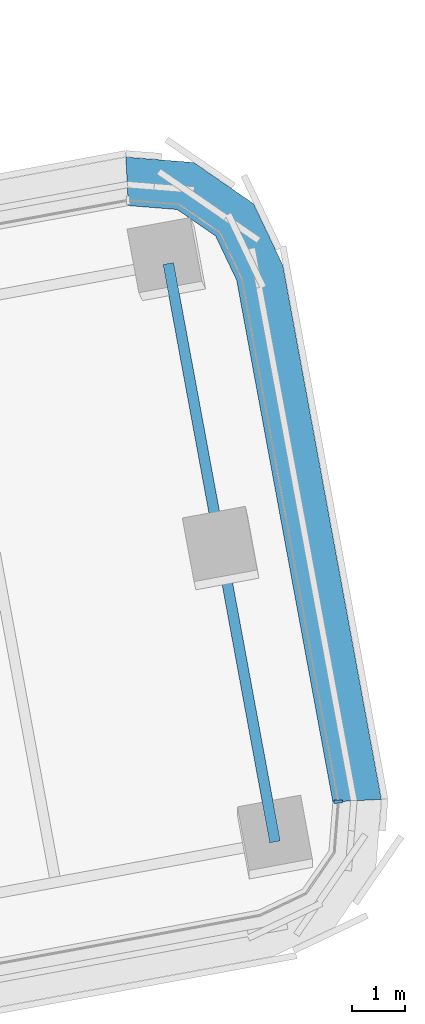
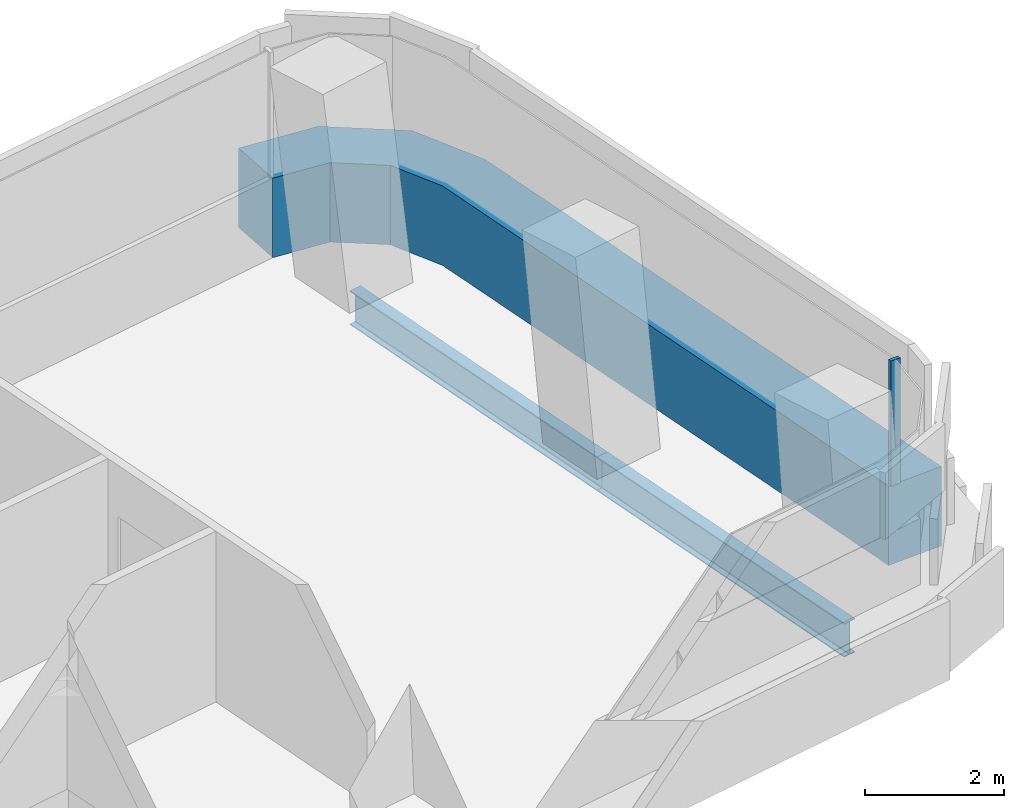
# One storey, part 14 of 33: 2 beams, 2 members, 1 element without a shape of its own.
"""IFC4 building model written with IfcOpenShell, lengths in metres."""

from ifc_helpers import new_model, si_unit, direction, frame, origin, origin_2d, place, context, subcontext, project, spatial, polyline, rectangle, i_section, outline, extrude, material, layer, layer_set, material_profile, profile_set, type_object, element, aggregate, save


model = new_model("IFC4")

# Units and contexts
model_context = context("Model", 3, precision=1e-05, world=origin(), true_north=direction((0.0, 1.0)))
body_context = subcontext(model_context, "Body", "Model", "MODEL_VIEW")
ifc_project = project(units=[si_unit("LENGTHUNIT", "METRE"), si_unit("AREAUNIT", "SQUARE_METRE"), si_unit("VOLUMEUNIT", "CUBIC_METRE"), si_unit("PLANEANGLEUNIT", "RADIAN"), si_unit("MASSUNIT", "GRAM", prefix="KILO")], contexts=[model_context])

# Site, building, storey
site_placement = place(None, origin())
site = spatial("IfcSite", under=ifc_project, at=site_placement, CompositionType="ELEMENT")
building_placement = place(site_placement, origin())
building = spatial("IfcBuilding", under=site, at=building_placement, Name="Tamarind Cross Interchange Tower", CompositionType="ELEMENT")
storey_placement = place(building_placement, frame((0.0, 0.0, 71.5)))
storey = spatial("IfcBuildingStorey", under=building, at=storey_placement, Name="L16", CompositionType="ELEMENT", Elevation=71.5)

# Beams
ifc_material_1 = material(Name="Steel Q355B", Category="steel")
ifc_material_profile_1 = material_profile(ifc_material_1, i_section(OverallWidth=0.199951171875, OverallDepth=0.60009765625, WebThickness=0.010986328125, FlangeThickness=0.01708984375, FilletRadius=0.012939453125, at=origin_2d()), Name="HN 600x200x11x17")
ifc_profile_set_1 = profile_set([ifc_material_profile_1], Name="Steel Q355B")
beam_type = type_object("IfcBeamType", Name="Composite beam HN 600x200x11x17 Q355B", PredefinedType="BEAM", material=ifc_profile_set_1)
beam_1_placement = place(storey_placement, frame((48.21435546875, -0.7587890625, -0.43994140625), z_axis=(-0.181334160183, 0.983421538482, 0.0), x_axis=(-0.983421538482, -0.181334160183, 0.0)))
element("IfcBeam", 1, at=beam_1_placement, inside=storey, type_object=beam_type, Name="Beam E-tip0", PredefinedType="BEAM", context=body_context, shape_type="SweptSolid", body=[
    extrude(i_section(OverallWidth=0.199951171875, OverallDepth=0.60009765625, WebThickness=0.010986328125, FlangeThickness=0.01708984375, FilletRadius=0.012939453125, at=origin_2d()), origin(), (0.0, 0.0, 1.0), 5.499755859375),
])
beam_2_placement = place(storey_placement, frame((47.217041015625, 4.64990234375, -0.43994140625), z_axis=(-0.181369172841, 0.983415081816, 0.0), x_axis=(-0.983415081816, -0.181369172841, 0.0)))
element("IfcBeam", 2, at=beam_2_placement, inside=storey, type_object=beam_type, Name="Beam E-tip1", PredefinedType="BEAM", context=body_context, shape_type="SweptSolid", body=[
    extrude(i_section(OverallWidth=0.199951171875, OverallDepth=0.60009765625, WebThickness=0.010986328125, FlangeThickness=0.01708984375, FilletRadius=0.012939453125, at=origin_2d()), origin(), (0.0, 0.0, 1.0), 5.500244140625),
])

# Curtain wall, members
ifc_material_2 = material(Name="Aluminium 6063-T6", Category="aluminium")
ifc_layer = layer(ifc_material_2, 0.159912109375)
ifc_layer_set = layer_set([ifc_layer], Name="Aluminium 6063-T6")
curtain_wall_type = type_object("IfcCurtainWallType", Name="Office curtain wall, 9.0 m bays", PredefinedType="NOTDEFINED", material=ifc_layer_set)
curtain_wall_placement = place(storey_placement, origin())
curtain_wall = element("IfcCurtainWall", 3, at=curtain_wall_placement, inside=storey, type_object=curtain_wall_type, Name="CWS-L16-08", PredefinedType="NOTDEFINED")
ifc_material_3 = material(Name="Aluminium and insulated spandrel panel", Category="aluminium")
member_type_1 = type_object("IfcMemberType", Name="Floor-edge blade transom", PredefinedType="USERDEFINED", material=ifc_material_3)
member_1_placement = place(storey_placement, origin())
member_1 = element("IfcMember", 4, at=member_1_placement, type_object=member_type_1, Name="CWT-L16-08", ObjectType="TRANSOM", PredefinedType="USERDEFINED", context=body_context, shape_type="SweptSolid", body=[
    extrude(outline(polyline([(49.296630859375, -0.0107421875), (47.49755859375, 9.745849609375), (47.104248046875, 10.572509765625), (46.384033203125, 11.068359375), (45.47119140625, 11.14111328125), (45.425048828125, 12.047607421875), (46.69580078125, 11.946533203125), (47.813232421875, 11.177001953125), (48.361083984375, 10.025634765625), (50.203125, 0.0361328125), (49.296630859375, -0.0107421875)])), origin(), (0.0, 0.0, 1.0), 1.39990234375),
])
ifc_material_profile_2 = material_profile(ifc_material_2, rectangle(XDim=0.06005859375, YDim=0.159912109375, at=origin_2d()), Name="Mullion CW1")
ifc_profile_set_2 = profile_set([ifc_material_profile_2], Name="Aluminium 6063-T6")
member_type_2 = type_object("IfcMemberType", Name="Mullion CW1", PredefinedType="MULLION", material=ifc_profile_set_2)
member_2_placement = place(storey_placement, frame((49.3974609375, -0.00537109375, 1.39990234375), z_axis=(0.0, 0.0, 1.0), x_axis=(-0.051429607397, 0.998676622077, 0.0)))
member_2 = element("IfcMember", 5, at=member_2_placement, type_object=member_type_2, Name="CWM-L16-08-00", PredefinedType="MULLION", context=body_context, shape_type="SweptSolid", body=[
    extrude(rectangle(XDim=0.06005859375, YDim=0.159912109375, at=origin_2d()), origin(), (0.0, 0.0, 1.0), 2.210205078125),
])
aggregate(curtain_wall, [member_2, member_1])

save(model, "model.ifc")
